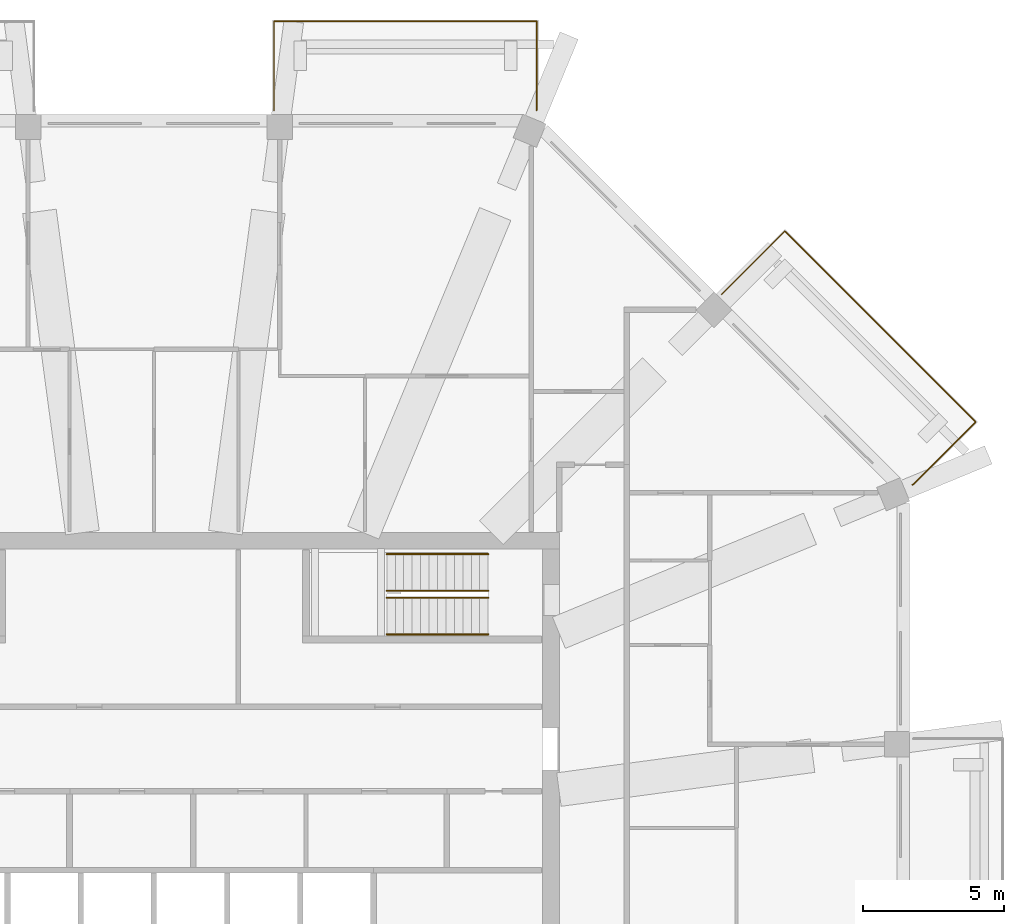
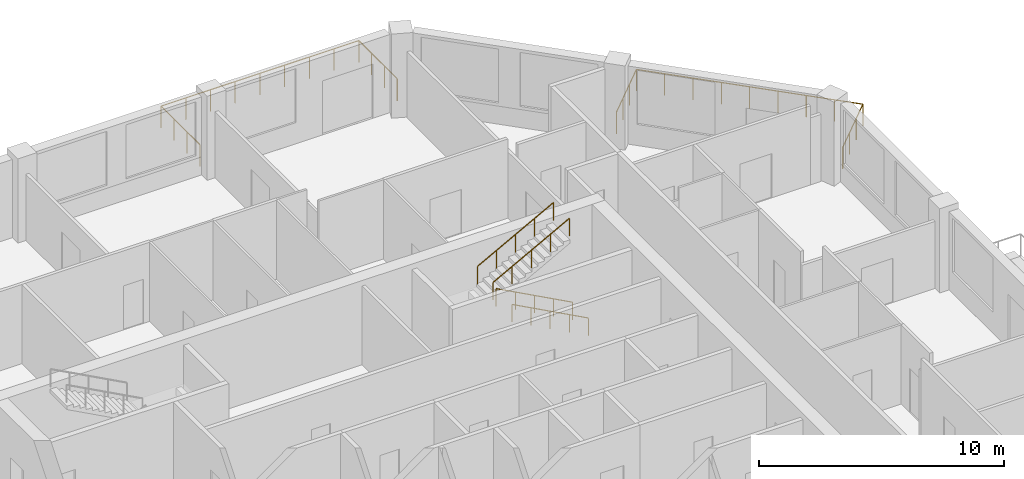
# One storey, part 12 of 12: 6 railings.
"""IFC4 building model written with IfcOpenShell, lengths in metres."""

from ifc_helpers import new_model, si_unit, direction, frame, origin, origin_2d, place, context, subcontext, project, spatial, circle, extrude, material, constituent, constituent_set, type_object, element, save


model = new_model("IFC4")

# Units and contexts
model_context = context("Model", 3, precision=1e-05, world=origin(), true_north=direction((0.0, 1.0)))
body_context = subcontext(model_context, "Body", "Model", "MODEL_VIEW")
ifc_project = project(units=[si_unit("LENGTHUNIT", "METRE"), si_unit("AREAUNIT", "SQUARE_METRE"), si_unit("VOLUMEUNIT", "CUBIC_METRE"), si_unit("PLANEANGLEUNIT", "RADIAN"), si_unit("MASSUNIT", "GRAM", prefix="KILO")], contexts=[model_context])

# Site, building, storey
site_placement = place(None, origin())
site = spatial("IfcSite", under=ifc_project, at=site_placement, CompositionType="ELEMENT")
building_placement = place(site_placement, origin())
building = spatial("IfcBuilding", under=site, at=building_placement, Name="Msitu Wima Residences", CompositionType="ELEMENT")
storey_placement = place(building_placement, frame((0.0, 0.0, 213.89990234375)))
storey = spatial("IfcBuildingStorey", under=building, at=storey_placement, Name="L49", CompositionType="ELEMENT", Elevation=213.89990234375)

# Railings
ifc_material_1 = material(Name="Steel S355", Category="steel")
ifc_constituent_1 = constituent(ifc_material_1, Name="Steel S355")
ifc_material_2 = material(Name="Weathering patina")
ifc_constituent_2 = constituent(ifc_material_2, Name="Weathering patina")
ifc_constituent_set_1 = constituent_set(constituents=[ifc_constituent_1, ifc_constituent_2], Name="Steel S355")
railing_type_1 = type_object("IfcRailingType", Name="Balcony guard GR1100", PredefinedType="GUARDRAIL", material=ifc_constituent_set_1)
railing_1_placement = place(storey_placement, frame((20.171630859375, 20.45458984375, 0.0)))
element("IfcRailing", 1, at=railing_1_placement, inside=storey, type_object=railing_type_1, Name="Balcony guard NE0 L49", PredefinedType="GUARDRAIL", context=body_context, shape_type="SweptSolid", body=[
    extrude(circle(Radius=0.02392578125, at=origin_2d()), frame((0.0, 0.0, 1.076171875), z_axis=(0.707106781187, 0.707106781187, 0.0), x_axis=(-0.707106781187, 0.707106781187, 0.0)), (0.0, 0.0, 1.0), 3.169921875),
    extrude(circle(Radius=0.02392578125, at=origin_2d()), frame((2.241455078125, 2.241455078125, 1.076171875), z_axis=(0.707106781187, -0.707106781187, 0.0), x_axis=(0.707106781187, 0.707106781187, 0.0)), (0.0, 0.0, 1.0), 9.58837890625),
    extrude(circle(Radius=0.02392578125, at=origin_2d()), frame((9.021484375, -4.53857421875, 1.076171875), z_axis=(-0.707106781187, -0.707106781187, 0.0), x_axis=(0.707106781187, -0.707106781187, 0.0)), (0.0, 0.0, 1.0), 3.136474609375),
    extrude(circle(Radius=0.02392578125, at=origin_2d()), frame((6.8037109375, -6.75634765625, 1.076171875), z_axis=(-0.92426142649, -0.38176015442, 0.0), x_axis=(0.38176015442, -0.92426142649, 0.0)), (0.0, 0.0, 1.0), 0.036376953125),
    extrude(circle(Radius=0.02099609375, at=origin_2d()), origin(), (0.0, 0.0, 1.0), 1.052001953125),
    extrude(circle(Radius=0.02099609375, at=origin_2d()), frame((0.7470703125, 0.7470703125, 0.0)), (0.0, 0.0, 1.0), 1.052001953125),
    extrude(circle(Radius=0.02099609375, at=origin_2d()), frame((1.494384765625, 1.494384765625, 0.0)), (0.0, 0.0, 1.0), 1.052001953125),
    extrude(circle(Radius=0.02099609375, at=origin_2d()), frame((2.241455078125, 2.241455078125, 0.0)), (0.0, 0.0, 1.0), 1.052001953125),
    extrude(circle(Radius=0.02099609375, at=origin_2d()), frame((3.0888671875, 1.39404296875, 0.0)), (0.0, 0.0, 1.0), 1.052001953125),
    extrude(circle(Radius=0.02099609375, at=origin_2d()), frame((3.9365234375, 0.54638671875, 0.0)), (0.0, 0.0, 1.0), 1.052001953125),
    extrude(circle(Radius=0.02099609375, at=origin_2d()), frame((4.783935546875, -0.301025390625, 0.0)), (0.0, 0.0, 1.0), 1.052001953125),
    extrude(circle(Radius=0.02099609375, at=origin_2d()), frame((5.63134765625, -1.1484375, 0.0)), (0.0, 0.0, 1.0), 1.052001953125),
    extrude(circle(Radius=0.02099609375, at=origin_2d()), frame((6.47900390625, -1.99609375, 0.0)), (0.0, 0.0, 1.0), 1.052001953125),
    extrude(circle(Radius=0.02099609375, at=origin_2d()), frame((7.326416015625, -2.843505859375, 0.0)), (0.0, 0.0, 1.0), 1.052001953125),
    extrude(circle(Radius=0.02099609375, at=origin_2d()), frame((8.174072265625, -3.691162109375, 0.0)), (0.0, 0.0, 1.0), 1.052001953125),
    extrude(circle(Radius=0.02099609375, at=origin_2d()), frame((9.021484375, -4.53857421875, 0.0)), (0.0, 0.0, 1.0), 1.052001953125),
    extrude(circle(Radius=0.02099609375, at=origin_2d()), frame((8.2822265625, -5.27783203125, 0.0)), (0.0, 0.0, 1.0), 1.052001953125),
    extrude(circle(Radius=0.02099609375, at=origin_2d()), frame((7.54296875, -6.01708984375, 0.0)), (0.0, 0.0, 1.0), 1.052001953125),
    extrude(circle(Radius=0.02099609375, at=origin_2d()), frame((6.8037109375, -6.75634765625, 0.0)), (0.0, 0.0, 1.0), 1.052001953125),
    extrude(circle(Radius=0.02099609375, at=origin_2d()), frame((6.77001953125, -6.770263671875, 0.0)), (0.0, 0.0, 1.0), 1.052001953125),
])
railing_2_placement = place(storey_placement, frame((4.2685546875, 26.97998046875, 0.0)))
element("IfcRailing", 2, at=railing_2_placement, inside=storey, type_object=railing_type_1, Name="Balcony guard N0 L49", PredefinedType="GUARDRAIL", context=body_context, shape_type="SweptSolid", body=[
    extrude(circle(Radius=0.02392578125, at=origin_2d()), frame((0.0, 0.0, 1.076171875), z_axis=(0.0, 1.0, 0.0), x_axis=(-1.0, 0.0, 0.0)), (0.0, 0.0, 1.0), 3.169921875),
    extrude(circle(Radius=0.02392578125, at=origin_2d()), frame((0.0, 3.169921875, 1.076171875), z_axis=(1.0, 0.0, 0.0), x_axis=(0.0, 1.0, 0.0)), (0.0, 0.0, 1.0), 9.33740234375),
    extrude(circle(Radius=0.02392578125, at=origin_2d()), frame((9.33740234375, 3.169921875, 1.076171875), z_axis=(0.0, -1.0, 0.0), x_axis=(1.0, 0.0, 0.0)), (0.0, 0.0, 1.0), 3.136474609375),
    extrude(circle(Radius=0.02392578125, at=origin_2d()), frame((9.33740234375, 0.033447265625, 1.076171875), z_axis=(-0.384136806859, -0.923276184907, 0.0), x_axis=(0.923276184907, -0.384136806859, 0.0)), (0.0, 0.0, 1.0), 0.0361328125),
    extrude(circle(Radius=0.02099609375, at=origin_2d()), origin(), (0.0, 0.0, 1.0), 1.052001953125),
    extrude(circle(Radius=0.02099609375, at=origin_2d()), frame((0.0, 1.056640625, 0.0)), (0.0, 0.0, 1.0), 1.052001953125),
    extrude(circle(Radius=0.02099609375, at=origin_2d()), frame((0.0, 2.11328125, 0.0)), (0.0, 0.0, 1.0), 1.052001953125),
    extrude(circle(Radius=0.02099609375, at=origin_2d()), frame((0.0, 3.169921875, 0.0)), (0.0, 0.0, 1.0), 1.052001953125),
    extrude(circle(Radius=0.02099609375, at=origin_2d()), frame((1.167236328125, 3.169921875, 0.0)), (0.0, 0.0, 1.0), 1.052001953125),
    extrude(circle(Radius=0.02099609375, at=origin_2d()), frame((2.33447265625, 3.169921875, 0.0)), (0.0, 0.0, 1.0), 1.052001953125),
    extrude(circle(Radius=0.02099609375, at=origin_2d()), frame((3.50146484375, 3.169921875, 0.0)), (0.0, 0.0, 1.0), 1.052001953125),
    extrude(circle(Radius=0.02099609375, at=origin_2d()), frame((4.668701171875, 3.169921875, 0.0)), (0.0, 0.0, 1.0), 1.052001953125),
    extrude(circle(Radius=0.02099609375, at=origin_2d()), frame((5.8359375, 3.169921875, 0.0)), (0.0, 0.0, 1.0), 1.052001953125),
    extrude(circle(Radius=0.02099609375, at=origin_2d()), frame((7.0029296875, 3.169921875, 0.0)), (0.0, 0.0, 1.0), 1.052001953125),
    extrude(circle(Radius=0.02099609375, at=origin_2d()), frame((8.170166015625, 3.169921875, 0.0)), (0.0, 0.0, 1.0), 1.052001953125),
    extrude(circle(Radius=0.02099609375, at=origin_2d()), frame((9.33740234375, 3.169921875, 0.0)), (0.0, 0.0, 1.0), 1.052001953125),
    extrude(circle(Radius=0.02099609375, at=origin_2d()), frame((9.33740234375, 2.12451171875, 0.0)), (0.0, 0.0, 1.0), 1.052001953125),
    extrude(circle(Radius=0.02099609375, at=origin_2d()), frame((9.33740234375, 1.078857421875, 0.0)), (0.0, 0.0, 1.0), 1.052001953125),
    extrude(circle(Radius=0.02099609375, at=origin_2d()), frame((9.33740234375, 0.033447265625, 0.0)), (0.0, 0.0, 1.0), 1.052001953125),
    extrude(circle(Radius=0.02099609375, at=origin_2d()), frame((9.323486328125, 0.0, 0.0)), (0.0, 0.0, 1.0), 1.052001953125),
])
ifc_constituent_3 = constituent(ifc_material_1, Name="Steel S355")
ifc_material_3 = material(Name="Black powder coating")
ifc_constituent_4 = constituent(ifc_material_3, Name="Black powder coating")
ifc_constituent_set_2 = constituent_set(constituents=[ifc_constituent_3, ifc_constituent_4], Name="Steel S355")
railing_type_2 = type_object("IfcRailingType", Name="Stair handrail HR1", PredefinedType="HANDRAIL", material=ifc_constituent_set_2)
for number, where, name in (
    (3, (11.875, 8.375, 0.16162109375), "Stair 3 handrail"),
    (4, (11.875, 9.675048828125, 0.16162109375), "Stair 3 handrail"),
):
    element("IfcRailing", number, at=place(storey_placement, frame(where)), inside=storey, type_object=railing_type_2, Name=name, PredefinedType="HANDRAIL", context=body_context, shape_type="SweptSolid", body=[
        extrude(circle(Radius=0.02392578125, at=origin_2d()), frame((0.0, 0.0, 0.8759765625), z_axis=(-0.880474934443, 0.0, 0.474092701714), x_axis=(0.0, -1.0, 0.0)), (0.0, 0.0, 1.0), 4.0888671875),
        extrude(circle(Radius=0.02099609375, at=origin_2d()), origin(), (0.0, 0.0, 1.0), 0.851806640625),
        extrude(circle(Radius=0.02099609375, at=origin_2d()), frame((-0.89990234375, 0.0, 0.484619140625)), (0.0, 0.0, 1.0), 0.851806640625),
        extrude(circle(Radius=0.02099609375, at=origin_2d()), frame((-1.800048828125, 0.0, 0.96923828125)), (0.0, 0.0, 1.0), 0.851806640625),
        extrude(circle(Radius=0.02099609375, at=origin_2d()), frame((-2.7001953125, 0.0, 1.453857421875)), (0.0, 0.0, 1.0), 0.851806640625),
        extrude(circle(Radius=0.02099609375, at=origin_2d()), frame((-3.60009765625, 0.0, 1.9384765625)), (0.0, 0.0, 1.0), 0.851806640625),
    ])
for number, where, name in (
    (5, (8.27490234375, 9.925048828125, 2.26171875), "Stair 3 handrail"),
    (6, (8.27490234375, 11.22509765625, 2.26171875), "Stair 3 handrail"),
):
    element("IfcRailing", number, at=place(storey_placement, frame(where)), inside=storey, type_object=railing_type_2, Name=name, PredefinedType="HANDRAIL", context=body_context, shape_type="SweptSolid", body=[
        extrude(circle(Radius=0.02392578125, at=origin_2d()), frame((0.0, 0.0, 0.8759765625), z_axis=(0.880474934443, 0.0, 0.474092701714), x_axis=(0.0, 1.0, 0.0)), (0.0, 0.0, 1.0), 4.0888671875),
        extrude(circle(Radius=0.02099609375, at=origin_2d()), origin(), (0.0, 0.0, 1.0), 0.851806640625),
        extrude(circle(Radius=0.02099609375, at=origin_2d()), frame((0.89990234375, 0.0, 0.484619140625)), (0.0, 0.0, 1.0), 0.851806640625),
        extrude(circle(Radius=0.02099609375, at=origin_2d()), frame((1.800048828125, 0.0, 0.96923828125)), (0.0, 0.0, 1.0), 0.851806640625),
        extrude(circle(Radius=0.02099609375, at=origin_2d()), frame((2.7001953125, 0.0, 1.453857421875)), (0.0, 0.0, 1.0), 0.851806640625),
        extrude(circle(Radius=0.02099609375, at=origin_2d()), frame((3.60009765625, 0.0, 1.9384765625)), (0.0, 0.0, 1.0), 0.851806640625),
    ])

save(model, "model.ifc")
